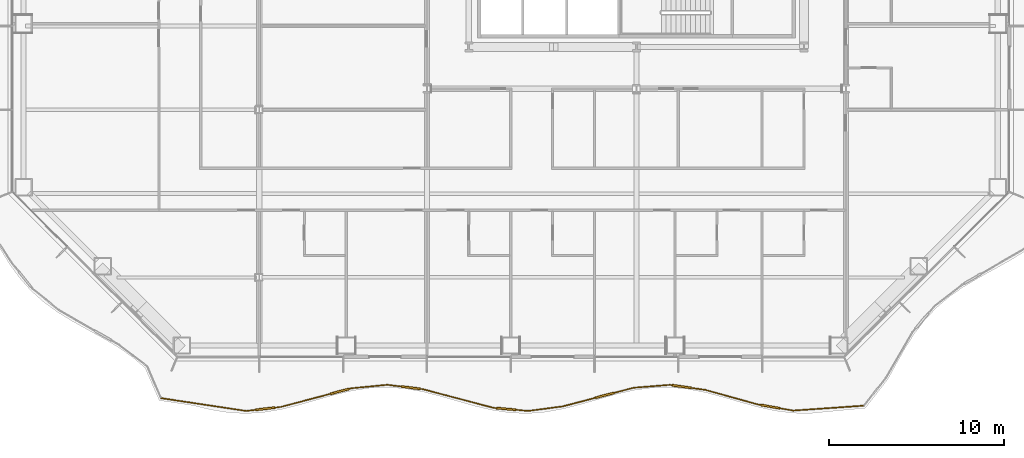
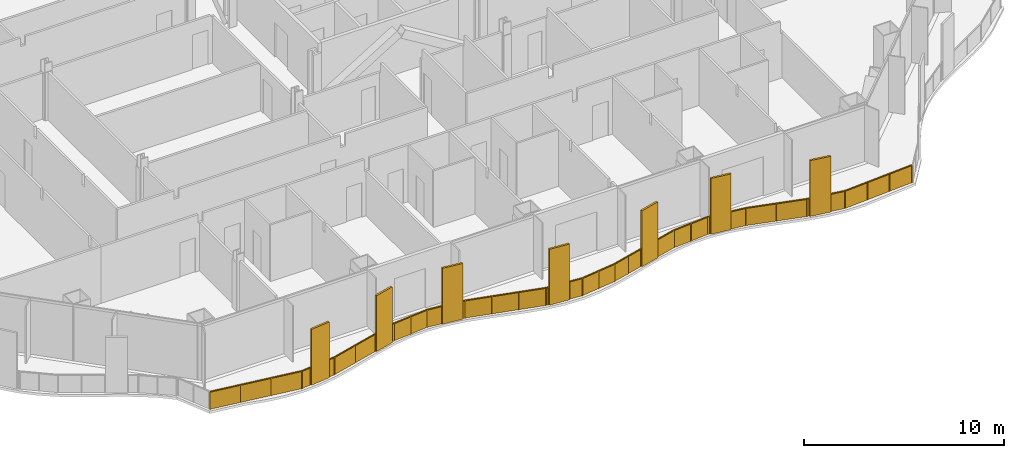
# One storey, part 16 of 21: 1 railing.
"""IFC4 building model written with IfcOpenShell, lengths in metres."""

from ifc_helpers import new_model, si_unit, direction, frame, origin, origin_2d, place, context, subcontext, project, spatial, polyline, rectangle, outline, extrude, material, type_object, element, save


model = new_model("IFC4")

# Units and contexts
model_context = context("Model", 3, precision=1e-05, world=origin(), true_north=direction((0.0, 1.0)))
body_context = subcontext(model_context, "Body", "Model", "MODEL_VIEW")
ifc_project = project(units=[si_unit("LENGTHUNIT", "METRE"), si_unit("AREAUNIT", "SQUARE_METRE"), si_unit("VOLUMEUNIT", "CUBIC_METRE"), si_unit("PLANEANGLEUNIT", "RADIAN"), si_unit("MASSUNIT", "GRAM", prefix="KILO")], contexts=[model_context])

# Site, building, storey
site_placement = place(None, origin())
site = spatial("IfcSite", under=ifc_project, at=site_placement, CompositionType="ELEMENT")
building_placement = place(site_placement, origin())
building = spatial("IfcBuilding", under=site, at=building_placement, Name="Cairn Pilgrim Tower", CompositionType="ELEMENT")
storey_placement = place(building_placement, frame((0.0, 0.0, 43.800048828125)))
storey = spatial("IfcBuildingStorey", under=building, at=storey_placement, Name="L08", CompositionType="ELEMENT", Elevation=43.800048828125)

# Railing
ifc_material = material(Name="Bronze anodised aluminium rail, posts and fin screens with laminated glass infill", Category="aluminium")
railing_type = type_object("IfcRailingType", Name="BALCONY GUARD WITH FIN SCREENS", PredefinedType="GUARDRAIL", material=ifc_material)
railing_placement = place(storey_placement, frame((-20.027587890625, -26.114013671875, 0.0)))
element("IfcRailing", 1, at=railing_placement, inside=storey, type_object=railing_type, Name="Balcony guard BGF-1 with fin screens", PredefinedType="GUARDRAIL", context=body_context, shape_type="SweptSolid", body=[
    extrude(rectangle(XDim=0.050048828125, YDim=0.050048828125, at=origin_2d()), frame((0.0, 0.0, 1.0751953125), z_axis=(0.988823769402, -0.149089077623, 0.0), x_axis=(0.149089077623, 0.988823769402, 0.0)), (0.0, 0.0, 1.0), 4.927490234375),
    extrude(rectangle(XDim=1.10009765625, YDim=0.110107421875, at=origin_2d()), frame((5.97021484375, -0.608154296875, 0.0), z_axis=(0.0, 0.0, 1.0), x_axis=(0.993419071083, 0.114536235351, 0.0)), (0.0, 0.0, 1.0), 3.39990234375),
    extrude(rectangle(XDim=0.050048828125, YDim=0.050048828125, at=origin_2d()), frame((4.872314453125, -0.734619140625, 1.0751953125), z_axis=(0.993419071083, 0.114536235351, 0.0), x_axis=(-0.114536235351, 0.993419071083, 0.0)), (0.0, 0.0, 1.0), 0.55517578125),
    extrude(rectangle(XDim=0.050048828125, YDim=0.050048828125, at=origin_2d()), frame((6.5166015625, -0.545166015625, 1.0751953125), z_axis=(0.993419071083, 0.114536235351, 0.0), x_axis=(-0.114536235351, 0.993419071083, 0.0)), (0.0, 0.0, 1.0), 0.3486328125),
    extrude(rectangle(XDim=1.10009765625, YDim=0.110107421875, at=origin_2d()), frame((10.2294921875, 0.385009765625, 0.0), z_axis=(0.0, 0.0, 1.0), x_axis=(0.966778237652, 0.255616586323, 0.0)), (0.0, 0.0, 1.0), 3.39990234375),
    extrude(rectangle(XDim=0.050048828125, YDim=0.050048828125, at=origin_2d()), frame((6.86279296875, -0.505126953125, 1.0751953125), z_axis=(0.966778237652, 0.255616586323, 0.0), x_axis=(-0.255616586323, 0.966778237652, 0.0)), (0.0, 0.0, 1.0), 2.932373046875),
    extrude(rectangle(XDim=0.050048828125, YDim=0.050048828125, at=origin_2d()), frame((10.76123046875, 0.525634765625, 1.0751953125), z_axis=(0.966778237652, 0.255616586323, 0.0), x_axis=(-0.255616586323, 0.966778237652, 0.0)), (0.0, 0.0, 1.0), 0.14990234375),
    extrude(rectangle(XDim=0.050048828125, YDim=0.050048828125, at=origin_2d()), frame((10.90625, 0.56396484375, 1.0751953125), z_axis=(0.995274913369, 0.097097099946, 0.0), x_axis=(-0.097097099946, 0.995274913369, 0.0)), (0.0, 0.0, 1.0), 2.059326171875),
    extrude(rectangle(XDim=1.10009765625, YDim=0.110107421875, at=origin_2d()), frame((14.308837890625, 0.596435546875, 0.0), z_axis=(0.0, 0.0, 1.0), x_axis=(0.992428237928, -0.12282586276, 0.0)), (0.0, 0.0, 1.0), 3.39990234375),
    extrude(rectangle(XDim=0.050048828125, YDim=0.050048828125, at=origin_2d()), frame((12.955810546875, 0.763916015625, 1.0751953125), z_axis=(0.992428237928, -0.12282586276, 0.0), x_axis=(0.12282586276, 0.992428237928, 0.0)), (0.0, 0.0, 1.0), 0.8134765625),
    extrude(rectangle(XDim=0.050048828125, YDim=0.050048828125, at=origin_2d()), frame((14.854736328125, 0.52880859375, 1.0751953125), z_axis=(0.992428237928, -0.12282586276, 0.0), x_axis=(0.12282586276, 0.992428237928, 0.0)), (0.0, 0.0, 1.0), 0.14990234375),
    extrude(rectangle(XDim=0.050048828125, YDim=0.050048828125, at=origin_2d()), frame((15.00341796875, 0.510498046875, 1.0751953125), z_axis=(0.966875925822, -0.255246829686, 0.0), x_axis=(0.255246829686, 0.966875925822, 0.0)), (0.0, 0.0, 1.0), 4.177978515625),
    extrude(rectangle(XDim=1.10009765625, YDim=0.110107421875, at=origin_2d()), frame((19.76318359375, -0.619873046875, 0.0), z_axis=(0.0, 0.0, 1.0), x_axis=(0.996086028057, -0.088389053109, 0.0)), (0.0, 0.0, 1.0), 3.39990234375),
    extrude(rectangle(XDim=0.050048828125, YDim=0.050048828125, at=origin_2d()), frame((19.04296875, -0.555908203125, 1.0751953125), z_axis=(0.996086028057, -0.088389053109, 0.0), x_axis=(0.088389053109, 0.996086028057, 0.0)), (0.0, 0.0, 1.0), 0.173095703125),
    extrude(rectangle(XDim=0.050048828125, YDim=0.050048828125, at=origin_2d()), frame((20.31103515625, -0.66845703125, 1.0751953125), z_axis=(0.996086028057, -0.088389053109, 0.0), x_axis=(0.088389053109, 0.996086028057, 0.0)), (0.0, 0.0, 1.0), 0.726806640625),
    extrude(rectangle(XDim=0.050048828125, YDim=0.050048828125, at=origin_2d()), frame((21.034912109375, -0.732666015625, 1.0751953125), z_axis=(0.991348267386, 0.131257810244, 0.0), x_axis=(-0.131257810244, 0.991348267386, 0.0)), (0.0, 0.0, 1.0), 2.012451171875),
    extrude(rectangle(XDim=1.10009765625, YDim=0.110107421875, at=origin_2d()), frame((25.408447265625, 0.15771484375, 0.0), z_axis=(0.0, 0.0, 1.0), x_axis=(0.967046563714, 0.254599575035, 0.0)), (0.0, 0.0, 1.0), 3.39990234375),
    extrude(rectangle(XDim=0.050048828125, YDim=0.050048828125, at=origin_2d()), frame((23.030029296875, -0.468505859375, 1.0751953125), z_axis=(0.967046563714, 0.254599575035, 0.0), x_axis=(-0.254599575035, 0.967046563714, 0.0)), (0.0, 0.0, 1.0), 1.909423828125),
    extrude(rectangle(XDim=0.050048828125, YDim=0.050048828125, at=origin_2d()), frame((25.9404296875, 0.297607421875, 1.0751953125), z_axis=(0.967046563714, 0.254599575035, 0.0), x_axis=(-0.254599575035, 0.967046563714, 0.0)), (0.0, 0.0, 1.0), 1.17431640625),
    extrude(rectangle(XDim=0.050048828125, YDim=0.050048828125, at=origin_2d()), frame((27.075927734375, 0.5966796875, 1.0751953125), z_axis=(0.996853646438, 0.079264163293, 0.0), x_axis=(-0.079264163293, 0.996853646438, 0.0)), (0.0, 0.0, 1.0), 2.0576171875),
    extrude(rectangle(XDim=1.10009765625, YDim=0.110107421875, at=origin_2d()), frame((29.820068359375, 0.662353515625, 0.0), z_axis=(0.0, 0.0, 1.0), x_axis=(0.990258868866, -0.139238545783, 0.0)), (0.0, 0.0, 1.0), 3.39990234375),
    extrude(rectangle(XDim=0.050048828125, YDim=0.050048828125, at=origin_2d()), frame((29.126953125, 0.759765625, 1.0751953125), z_axis=(0.990258868866, -0.139238545783, 0.0), x_axis=(0.139238545783, 0.990258868866, 0.0)), (0.0, 0.0, 1.0), 0.14990234375),
    extrude(rectangle(XDim=0.050048828125, YDim=0.050048828125, at=origin_2d()), frame((30.36474609375, 0.585693359375, 1.0751953125), z_axis=(0.990258868866, -0.139238545783, 0.0), x_axis=(0.139238545783, 0.990258868866, 0.0)), (0.0, 0.0, 1.0), 0.817138671875),
    extrude(rectangle(XDim=0.050048828125, YDim=0.050048828125, at=origin_2d()), frame((31.174072265625, 0.471923828125, 1.0751953125), z_axis=(0.9637508878, -0.266803722359, 0.0), x_axis=(0.266803722359, 0.9637508878, 0.0)), (0.0, 0.0, 1.0), 3.147705078125),
    extrude(rectangle(XDim=1.10009765625, YDim=0.110107421875, at=origin_2d()), frame((34.897705078125, -0.48681640625, 0.0), z_axis=(0.0, 0.0, 1.0), x_axis=(0.985449674135, -0.169967466732, 0.0)), (0.0, 0.0, 1.0), 3.39990234375),
    extrude(rectangle(XDim=0.050048828125, YDim=0.050048828125, at=origin_2d()), frame((34.207763671875, -0.367919921875, 1.0751953125), z_axis=(0.985449674135, -0.169967466732, 0.0), x_axis=(0.169967466732, 0.985449674135, 0.0)), (0.0, 0.0, 1.0), 0.150146484375),
    extrude(rectangle(XDim=0.050048828125, YDim=0.050048828125, at=origin_2d()), frame((35.439697265625, -0.580322265625, 1.0751953125), z_axis=(0.985449674135, -0.169967466732, 0.0), x_axis=(0.169967466732, 0.985449674135, 0.0)), (0.0, 0.0, 1.0), 0.775146484375),
    extrude(rectangle(XDim=0.050048828125, YDim=0.050048828125, at=origin_2d()), frame((36.20361328125, -0.712158203125, 1.0751953125), z_axis=(0.99762787881, 0.06883760179, 0.0), x_axis=(-0.06883760179, 0.99762787881, 0.0)), (0.0, 0.0, 1.0), 4.01123046875),
    extrude(rectangle(XDim=0.050048828125, YDim=0.050048828125, at=origin_2d()), origin(), (0.0, 0.0, 1.0), 1.050048828125),
    extrude(rectangle(XDim=0.050048828125, YDim=0.050048828125, at=origin_2d()), frame((1.6240234375, -0.244873046875, 0.0)), (0.0, 0.0, 1.0), 1.050048828125),
    extrude(rectangle(XDim=0.050048828125, YDim=0.050048828125, at=origin_2d()), frame((3.248291015625, -0.48974609375, 0.0)), (0.0, 0.0, 1.0), 1.050048828125),
    extrude(rectangle(XDim=0.050048828125, YDim=0.050048828125, at=origin_2d()), frame((4.872314453125, -0.734619140625, 0.0)), (0.0, 0.0, 1.0), 1.050048828125),
    extrude(rectangle(XDim=0.050048828125, YDim=0.050048828125, at=origin_2d()), frame((5.39892578125, -0.673828125, 0.0)), (0.0, 0.0, 1.0), 1.050048828125),
    extrude(rectangle(XDim=0.050048828125, YDim=0.050048828125, at=origin_2d()), frame((6.54150390625, -0.542236328125, 0.0)), (0.0, 0.0, 1.0), 1.050048828125),
    extrude(rectangle(XDim=0.050048828125, YDim=0.050048828125, at=origin_2d()), frame((6.86279296875, -0.505126953125, 0.0)), (0.0, 0.0, 1.0), 1.050048828125),
    extrude(rectangle(XDim=0.050048828125, YDim=0.050048828125, at=origin_2d()), frame((8.268310546875, -0.133544921875, 0.0)), (0.0, 0.0, 1.0), 1.050048828125),
    extrude(rectangle(XDim=0.050048828125, YDim=0.050048828125, at=origin_2d()), frame((9.673583984375, 0.238037109375, 0.0)), (0.0, 0.0, 1.0), 1.050048828125),
    extrude(rectangle(XDim=0.050048828125, YDim=0.050048828125, at=origin_2d()), frame((10.785400390625, 0.531982421875, 0.0)), (0.0, 0.0, 1.0), 1.050048828125),
    extrude(rectangle(XDim=0.050048828125, YDim=0.050048828125, at=origin_2d()), frame((10.90625, 0.56396484375, 0.0)), (0.0, 0.0, 1.0), 1.050048828125),
    extrude(rectangle(XDim=0.050048828125, YDim=0.050048828125, at=origin_2d()), frame((11.93115234375, 0.6640625, 0.0)), (0.0, 0.0, 1.0), 1.050048828125),
    extrude(rectangle(XDim=0.050048828125, YDim=0.050048828125, at=origin_2d()), frame((12.955810546875, 0.763916015625, 0.0)), (0.0, 0.0, 1.0), 1.050048828125),
    extrude(rectangle(XDim=0.050048828125, YDim=0.050048828125, at=origin_2d()), frame((13.73828125, 0.6669921875, 0.0)), (0.0, 0.0, 1.0), 1.050048828125),
    extrude(rectangle(XDim=0.050048828125, YDim=0.050048828125, at=origin_2d()), frame((14.87939453125, 0.52587890625, 0.0)), (0.0, 0.0, 1.0), 1.050048828125),
    extrude(rectangle(XDim=0.050048828125, YDim=0.050048828125, at=origin_2d()), frame((15.00341796875, 0.510498046875, 0.0)), (0.0, 0.0, 1.0), 1.050048828125),
    extrude(rectangle(XDim=0.050048828125, YDim=0.050048828125, at=origin_2d()), frame((16.349853515625, 0.155029296875, 0.0)), (0.0, 0.0, 1.0), 1.050048828125),
    extrude(rectangle(XDim=0.050048828125, YDim=0.050048828125, at=origin_2d()), frame((17.696533203125, -0.200439453125, 0.0)), (0.0, 0.0, 1.0), 1.050048828125),
    extrude(rectangle(XDim=0.050048828125, YDim=0.050048828125, at=origin_2d()), frame((19.04296875, -0.555908203125, 0.0)), (0.0, 0.0, 1.0), 1.050048828125),
    extrude(rectangle(XDim=0.050048828125, YDim=0.050048828125, at=origin_2d()), frame((19.1904296875, -0.569091796875, 0.0)), (0.0, 0.0, 1.0), 1.050048828125),
    extrude(rectangle(XDim=0.050048828125, YDim=0.050048828125, at=origin_2d()), frame((20.3359375, -0.670654296875, 0.0)), (0.0, 0.0, 1.0), 1.050048828125),
    extrude(rectangle(XDim=0.050048828125, YDim=0.050048828125, at=origin_2d()), frame((21.034912109375, -0.732666015625, 0.0)), (0.0, 0.0, 1.0), 1.050048828125),
    extrude(rectangle(XDim=0.050048828125, YDim=0.050048828125, at=origin_2d()), frame((22.032470703125, -0.6005859375, 0.0)), (0.0, 0.0, 1.0), 1.050048828125),
    extrude(rectangle(XDim=0.050048828125, YDim=0.050048828125, at=origin_2d()), frame((23.030029296875, -0.468505859375, 0.0)), (0.0, 0.0, 1.0), 1.050048828125),
    extrude(rectangle(XDim=0.050048828125, YDim=0.050048828125, at=origin_2d()), frame((23.941162109375, -0.228515625, 0.0)), (0.0, 0.0, 1.0), 1.050048828125),
    extrude(rectangle(XDim=0.050048828125, YDim=0.050048828125, at=origin_2d()), frame((24.852294921875, 0.01123046875, 0.0)), (0.0, 0.0, 1.0), 1.050048828125),
    extrude(rectangle(XDim=0.050048828125, YDim=0.050048828125, at=origin_2d()), frame((25.964599609375, 0.30419921875, 0.0)), (0.0, 0.0, 1.0), 1.050048828125),
    extrude(rectangle(XDim=0.050048828125, YDim=0.050048828125, at=origin_2d()), frame((27.075927734375, 0.5966796875, 0.0)), (0.0, 0.0, 1.0), 1.050048828125),
    extrude(rectangle(XDim=0.050048828125, YDim=0.050048828125, at=origin_2d()), frame((28.1015625, 0.67822265625, 0.0)), (0.0, 0.0, 1.0), 1.050048828125),
    extrude(rectangle(XDim=0.050048828125, YDim=0.050048828125, at=origin_2d()), frame((29.126953125, 0.759765625, 0.0)), (0.0, 0.0, 1.0), 1.050048828125),
    extrude(rectangle(XDim=0.050048828125, YDim=0.050048828125, at=origin_2d()), frame((29.250732421875, 0.742431640625, 0.0)), (0.0, 0.0, 1.0), 1.050048828125),
    extrude(rectangle(XDim=0.050048828125, YDim=0.050048828125, at=origin_2d()), frame((30.3896484375, 0.582275390625, 0.0)), (0.0, 0.0, 1.0), 1.050048828125),
    extrude(rectangle(XDim=0.050048828125, YDim=0.050048828125, at=origin_2d()), frame((31.174072265625, 0.471923828125, 0.0)), (0.0, 0.0, 1.0), 1.050048828125),
    extrude(rectangle(XDim=0.050048828125, YDim=0.050048828125, at=origin_2d()), frame((32.69091796875, 0.052001953125, 0.0)), (0.0, 0.0, 1.0), 1.050048828125),
    extrude(rectangle(XDim=0.050048828125, YDim=0.050048828125, at=origin_2d()), frame((34.207763671875, -0.367919921875, 0.0)), (0.0, 0.0, 1.0), 1.050048828125),
    extrude(rectangle(XDim=0.050048828125, YDim=0.050048828125, at=origin_2d()), frame((34.3310546875, -0.38916015625, 0.0)), (0.0, 0.0, 1.0), 1.050048828125),
    extrude(rectangle(XDim=0.050048828125, YDim=0.050048828125, at=origin_2d()), frame((35.46435546875, -0.584716796875, 0.0)), (0.0, 0.0, 1.0), 1.050048828125),
    extrude(rectangle(XDim=0.050048828125, YDim=0.050048828125, at=origin_2d()), frame((36.20361328125, -0.712158203125, 0.0)), (0.0, 0.0, 1.0), 1.050048828125),
    extrude(rectangle(XDim=0.050048828125, YDim=0.050048828125, at=origin_2d()), frame((37.53759765625, -0.6201171875, 0.0)), (0.0, 0.0, 1.0), 1.050048828125),
    extrude(rectangle(XDim=0.050048828125, YDim=0.050048828125, at=origin_2d()), frame((38.871337890625, -0.528076171875, 0.0)), (0.0, 0.0, 1.0), 1.050048828125),
    extrude(rectangle(XDim=0.050048828125, YDim=0.050048828125, at=origin_2d()), frame((40.205322265625, -0.43603515625, 0.0)), (0.0, 0.0, 1.0), 1.050048828125),
    extrude(outline(polyline([(0.02490234375, 0.0), (1.617431640625, 0.0), (1.617431640625, 1.050048828125), (0.02490234375, 1.050048828125), (0.02490234375, 0.0)])), frame((0.0009765625, 0.005859375, 0.0), z_axis=(-0.149089077623, -0.988823769402, 0.0), x_axis=(0.988823769402, -0.149089077623, 0.0)), (0.0, 0.0, 1.0), 0.011962890625),
    extrude(outline(polyline([(0.02490234375, 0.0), (1.617431640625, 0.0), (1.617431640625, 1.050048828125), (0.02490234375, 1.050048828125), (0.02490234375, 0.0)])), frame((1.625, -0.239013671875, 0.0), z_axis=(-0.149089077623, -0.988823769402, 0.0), x_axis=(0.988823769402, -0.149089077623, 0.0)), (0.0, 0.0, 1.0), 0.011962890625),
    extrude(outline(polyline([(0.02490234375, 0.0), (1.617431640625, 0.0), (1.617431640625, 1.050048828125), (0.02490234375, 1.050048828125), (0.02490234375, 0.0)])), frame((3.2490234375, -0.48388671875, 0.0), z_axis=(-0.149089077623, -0.988823769402, 0.0), x_axis=(0.988823769402, -0.149089077623, 0.0)), (0.0, 0.0, 1.0), 0.011962890625),
    extrude(outline(polyline([(0.02490234375, 0.0), (0.505126953125, 0.0), (0.505126953125, 1.050048828125), (0.02490234375, 1.050048828125), (0.02490234375, 0.0)])), frame((4.87158203125, -0.728759765625, 0.0), z_axis=(0.114536235351, -0.993419071083, 0.0), x_axis=(0.993419071083, 0.114536235351, 0.0)), (0.0, 0.0, 1.0), 0.011962890625),
    extrude(outline(polyline([(0.02490234375, 0.0), (0.298583984375, 0.0), (0.298583984375, 1.050048828125), (0.02490234375, 1.050048828125), (0.02490234375, 0.0)])), frame((6.540771484375, -0.5361328125, 0.0), z_axis=(0.114536235351, -0.993419071083, 0.0), x_axis=(0.993419071083, 0.114536235351, 0.0)), (0.0, 0.0, 1.0), 0.011962890625),
    extrude(outline(polyline([(0.02490234375, 0.0), (1.4287109375, 0.0), (1.4287109375, 1.050048828125), (0.02490234375, 1.050048828125), (0.02490234375, 0.0)])), frame((6.861328125, -0.499267578125, 0.0), z_axis=(0.255616586323, -0.966778237652, 0.0), x_axis=(0.966778237652, 0.255616586323, 0.0)), (0.0, 0.0, 1.0), 0.011962890625),
    extrude(outline(polyline([(0.02490234375, 0.0), (1.4287109375, 0.0), (1.4287109375, 1.050048828125), (0.02490234375, 1.050048828125), (0.02490234375, 0.0)])), frame((8.2666015625, -0.127685546875, 0.0), z_axis=(0.255616586323, -0.966778237652, 0.0), x_axis=(0.966778237652, 0.255616586323, 0.0)), (0.0, 0.0, 1.0), 0.011962890625),
    extrude(outline(polyline([(0.02490234375, 0.0), (0.099853515625, 0.0), (0.099853515625, 1.050048828125), (0.02490234375, 1.050048828125), (0.02490234375, 0.0)])), frame((10.783935546875, 0.537841796875, 0.0), z_axis=(0.255616586323, -0.966778237652, 0.0), x_axis=(0.966778237652, 0.255616586323, 0.0)), (0.0, 0.0, 1.0), 0.011962890625),
    extrude(outline(polyline([(0.02490234375, 0.0), (1.004638671875, 0.0), (1.004638671875, 1.050048828125), (0.02490234375, 1.050048828125), (0.02490234375, 0.0)])), frame((10.90576171875, 0.56982421875, 0.0), z_axis=(0.097097099946, -0.995274913369, 0.0), x_axis=(0.995274913369, 0.097097099946, 0.0)), (0.0, 0.0, 1.0), 0.011962890625),
    extrude(outline(polyline([(0.02490234375, 0.0), (1.004638671875, 0.0), (1.004638671875, 1.050048828125), (0.02490234375, 1.050048828125), (0.02490234375, 0.0)])), frame((11.930419921875, 0.669921875, 0.0), z_axis=(0.097097099946, -0.995274913369, 0.0), x_axis=(0.995274913369, 0.097097099946, 0.0)), (0.0, 0.0, 1.0), 0.011962890625),
    extrude(outline(polyline([(0.02490234375, 0.0), (0.763427734375, 0.0), (0.763427734375, 1.050048828125), (0.02490234375, 1.050048828125), (0.02490234375, 0.0)])), frame((12.95654296875, 0.769775390625, 0.0), z_axis=(-0.12282586276, -0.992428237928, 0.0), x_axis=(0.992428237928, -0.12282586276, 0.0)), (0.0, 0.0, 1.0), 0.011962890625),
    extrude(outline(polyline([(0.02490234375, 0.0), (0.099853515625, 0.0), (0.099853515625, 1.050048828125), (0.02490234375, 1.050048828125), (0.02490234375, 0.0)])), frame((14.88037109375, 0.53173828125, 0.0), z_axis=(-0.12282586276, -0.992428237928, 0.0), x_axis=(0.992428237928, -0.12282586276, 0.0)), (0.0, 0.0, 1.0), 0.011962890625),
    extrude(outline(polyline([(0.02490234375, 0.0), (1.36767578125, 0.0), (1.36767578125, 1.050048828125), (0.02490234375, 1.050048828125), (0.02490234375, 0.0)])), frame((15.0048828125, 0.516357421875, 0.0), z_axis=(-0.255246829686, -0.966875925822, 0.0), x_axis=(0.966875925822, -0.255246829686, 0.0)), (0.0, 0.0, 1.0), 0.011962890625),
    extrude(outline(polyline([(0.02490234375, 0.0), (1.36767578125, 0.0), (1.36767578125, 1.050048828125), (0.02490234375, 1.050048828125), (0.02490234375, 0.0)])), frame((16.3515625, 0.160888671875, 0.0), z_axis=(-0.255246829686, -0.966875925822, 0.0), x_axis=(0.966875925822, -0.255246829686, 0.0)), (0.0, 0.0, 1.0), 0.011962890625),
    extrude(outline(polyline([(0.02490234375, 0.0), (1.36767578125, 0.0), (1.36767578125, 1.050048828125), (0.02490234375, 1.050048828125), (0.02490234375, 0.0)])), frame((17.697998046875, -0.194580078125, 0.0), z_axis=(-0.255246829686, -0.966875925822, 0.0), x_axis=(0.966875925822, -0.255246829686, 0.0)), (0.0, 0.0, 1.0), 0.011962890625),
    extrude(outline(polyline([(0.02490234375, 0.0), (0.123046875, 0.0), (0.123046875, 1.050048828125), (0.02490234375, 1.050048828125), (0.02490234375, 0.0)])), frame((19.04345703125, -0.550048828125, 0.0), z_axis=(-0.088389053109, -0.996086028057, 0.0), x_axis=(0.996086028057, -0.088389053109, 0.0)), (0.0, 0.0, 1.0), 0.011962890625),
    extrude(outline(polyline([(0.02490234375, 0.0), (0.6767578125, 0.0), (0.6767578125, 1.050048828125), (0.02490234375, 1.050048828125), (0.02490234375, 0.0)])), frame((20.33642578125, -0.664794921875, 0.0), z_axis=(-0.088389053109, -0.996086028057, 0.0), x_axis=(0.996086028057, -0.088389053109, 0.0)), (0.0, 0.0, 1.0), 0.011962890625),
    extrude(outline(polyline([(0.02490234375, 0.0), (0.981201171875, 0.0), (0.981201171875, 1.050048828125), (0.02490234375, 1.050048828125), (0.02490234375, 0.0)])), frame((21.0341796875, -0.726806640625, 0.0), z_axis=(0.131257810244, -0.991348267386, 0.0), x_axis=(0.991348267386, 0.131257810244, 0.0)), (0.0, 0.0, 1.0), 0.011962890625),
    extrude(outline(polyline([(0.02490234375, 0.0), (0.981201171875, 0.0), (0.981201171875, 1.050048828125), (0.02490234375, 1.050048828125), (0.02490234375, 0.0)])), frame((22.03173828125, -0.5947265625, 0.0), z_axis=(0.131257810244, -0.991348267386, 0.0), x_axis=(0.991348267386, 0.131257810244, 0.0)), (0.0, 0.0, 1.0), 0.011962890625),
    extrude(outline(polyline([(0.02490234375, 0.0), (0.917236328125, 0.0), (0.917236328125, 1.050048828125), (0.02490234375, 1.050048828125), (0.02490234375, 0.0)])), frame((23.028564453125, -0.462646484375, 0.0), z_axis=(0.254599575035, -0.967046563714, 0.0), x_axis=(0.967046563714, 0.254599575035, 0.0)), (0.0, 0.0, 1.0), 0.011962890625),
    extrude(outline(polyline([(0.02490234375, 0.0), (0.917236328125, 0.0), (0.917236328125, 1.050048828125), (0.02490234375, 1.050048828125), (0.02490234375, 0.0)])), frame((23.939697265625, -0.222900390625, 0.0), z_axis=(0.254599575035, -0.967046563714, 0.0), x_axis=(0.967046563714, 0.254599575035, 0.0)), (0.0, 0.0, 1.0), 0.011962890625),
    extrude(outline(polyline([(0.02490234375, 0.0), (1.124267578125, 0.0), (1.124267578125, 1.050048828125), (0.02490234375, 1.050048828125), (0.02490234375, 0.0)])), frame((25.963134765625, 0.309814453125, 0.0), z_axis=(0.254599575035, -0.967046563714, 0.0), x_axis=(0.967046563714, 0.254599575035, 0.0)), (0.0, 0.0, 1.0), 0.011962890625),
    extrude(outline(polyline([(0.02490234375, 0.0), (1.003662109375, 0.0), (1.003662109375, 1.050048828125), (0.02490234375, 1.050048828125), (0.02490234375, 0.0)])), frame((27.075439453125, 0.6025390625, 0.0), z_axis=(0.079264163293, -0.996853646438, 0.0), x_axis=(0.996853646438, 0.079264163293, 0.0)), (0.0, 0.0, 1.0), 0.011962890625),
    extrude(outline(polyline([(0.02490234375, 0.0), (1.003662109375, 0.0), (1.003662109375, 1.050048828125), (0.02490234375, 1.050048828125), (0.02490234375, 0.0)])), frame((28.10107421875, 0.68408203125, 0.0), z_axis=(0.079264163293, -0.996853646438, 0.0), x_axis=(0.996853646438, 0.079264163293, 0.0)), (0.0, 0.0, 1.0), 0.011962890625),
    extrude(outline(polyline([(0.02490234375, 0.0), (0.099853515625, 0.0), (0.099853515625, 1.050048828125), (0.02490234375, 1.050048828125), (0.02490234375, 0.0)])), frame((29.127685546875, 0.765625, 0.0), z_axis=(-0.139238545783, -0.990258868866, 0.0), x_axis=(0.990258868866, -0.139238545783, 0.0)), (0.0, 0.0, 1.0), 0.011962890625),
    extrude(outline(polyline([(0.02490234375, 0.0), (0.76708984375, 0.0), (0.76708984375, 1.050048828125), (0.02490234375, 1.050048828125), (0.02490234375, 0.0)])), frame((30.390380859375, 0.588134765625, 0.0), z_axis=(-0.139238545783, -0.990258868866, 0.0), x_axis=(0.990258868866, -0.139238545783, 0.0)), (0.0, 0.0, 1.0), 0.011962890625),
    extrude(outline(polyline([(0.02490234375, 0.0), (1.548828125, 0.0), (1.548828125, 1.050048828125), (0.02490234375, 1.050048828125), (0.02490234375, 0.0)])), frame((31.17578125, 0.477783203125, 0.0), z_axis=(-0.266803722359, -0.9637508878, 0.0), x_axis=(0.9637508878, -0.266803722359, 0.0)), (0.0, 0.0, 1.0), 0.011962890625),
    extrude(outline(polyline([(0.02490234375, 0.0), (1.548828125, 0.0), (1.548828125, 1.050048828125), (0.02490234375, 1.050048828125), (0.02490234375, 0.0)])), frame((32.692626953125, 0.057861328125, 0.0), z_axis=(-0.266803722359, -0.9637508878, 0.0), x_axis=(0.9637508878, -0.266803722359, 0.0)), (0.0, 0.0, 1.0), 0.011962890625),
    extrude(outline(polyline([(0.02490234375, 0.0), (0.10009765625, 0.0), (0.10009765625, 1.050048828125), (0.02490234375, 1.050048828125), (0.02490234375, 0.0)])), frame((34.208740234375, -0.362060546875, 0.0), z_axis=(-0.169967466732, -0.985449674135, 0.0), x_axis=(0.985449674135, -0.169967466732, 0.0)), (0.0, 0.0, 1.0), 0.011962890625),
    extrude(outline(polyline([(0.02490234375, 0.0), (0.72509765625, 0.0), (0.72509765625, 1.050048828125), (0.02490234375, 1.050048828125), (0.02490234375, 0.0)])), frame((35.46533203125, -0.578857421875, 0.0), z_axis=(-0.169967466732, -0.985449674135, 0.0), x_axis=(0.985449674135, -0.169967466732, 0.0)), (0.0, 0.0, 1.0), 0.011962890625),
    extrude(outline(polyline([(0.02490234375, 0.0), (1.31201171875, 0.0), (1.31201171875, 1.050048828125), (0.02490234375, 1.050048828125), (0.02490234375, 0.0)])), frame((36.203125, -0.706298828125, 0.0), z_axis=(0.06883760179, -0.99762787881, 0.0), x_axis=(0.99762787881, 0.06883760179, 0.0)), (0.0, 0.0, 1.0), 0.011962890625),
    extrude(outline(polyline([(0.02490234375, 0.0), (1.31201171875, 0.0), (1.31201171875, 1.050048828125), (0.02490234375, 1.050048828125), (0.02490234375, 0.0)])), frame((37.537109375, -0.6142578125, 0.0), z_axis=(0.06883760179, -0.99762787881, 0.0), x_axis=(0.99762787881, 0.06883760179, 0.0)), (0.0, 0.0, 1.0), 0.011962890625),
    extrude(outline(polyline([(0.02490234375, 0.0), (1.31201171875, 0.0), (1.31201171875, 1.050048828125), (0.02490234375, 1.050048828125), (0.02490234375, 0.0)])), frame((38.87109375, -0.522216796875, 0.0), z_axis=(0.06883760179, -0.99762787881, 0.0), x_axis=(0.99762787881, 0.06883760179, 0.0)), (0.0, 0.0, 1.0), 0.011962890625),
])

save(model, "model.ifc")
